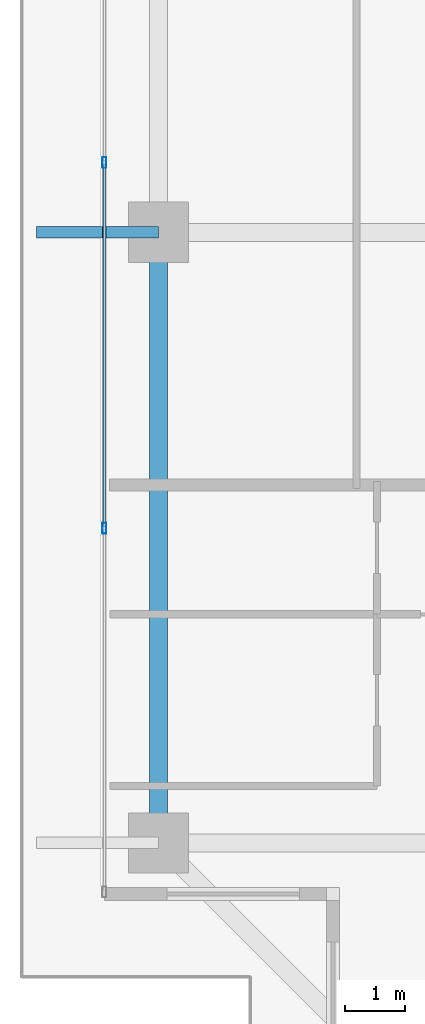
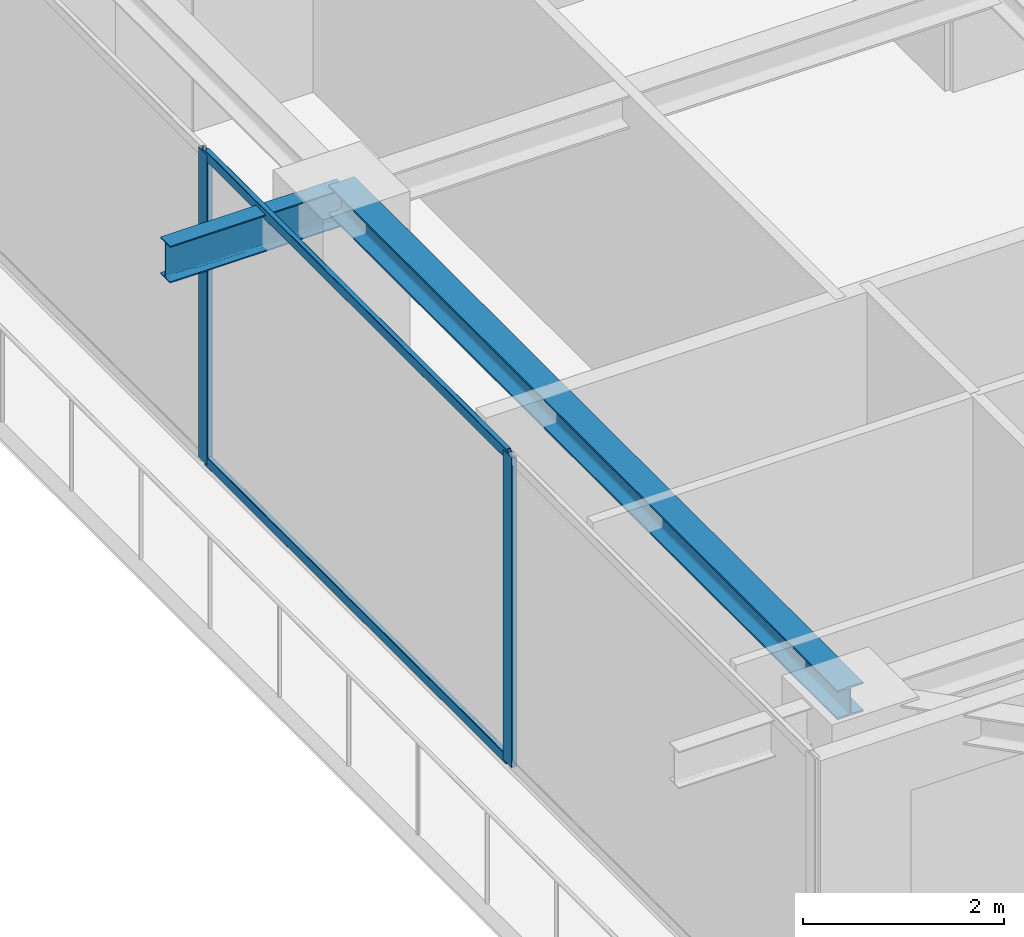
# One storey, part 8 of 42: 4 members, 2 beams, 1 element without a shape of its own.
"""IFC4 building model written with IfcOpenShell, lengths in metres."""

import ifcopenshell
import ifcopenshell.guid

model = None  # the IFC model being written
_history = None  # IfcOwnerHistory: only IFC2X3 demands one
_inside = {}  # id of a spatial element -> (the spatial element, [elements in it])
_under = {}  # id of a project, library or spatial element -> (it, [spatial elements below it])
_declared = {}  # id of a project -> (the project, [libraries it declares])
_typed = {}  # id of a type object -> (the type object, [elements of that type])
_made_of = {}  # id of a material, layer set ... -> (it, [elements and type objects made of it])


def new_model(schema):
    """Start an empty IFC model of exactly this schema.

    Asked for "IFC4X3", IfcOpenShell would pick the latest addendum, in which some entities
    have other attributes; the version numbers below select the first issue.
    IFC2X3 requires an IfcOwnerHistory on every rooted entity: one is made here for all.
    """
    global model, _history
    if schema == "IFC4X3":
        model = ifcopenshell.file(schema_version=(4, 3, 0, 0))
    else:
        model = ifcopenshell.file(schema=schema)
    _inside.clear()
    _under.clear()
    _declared.clear()
    _typed.clear()
    _made_of.clear()
    _history = None
    if model.schema == "IFC2X3":
        org = make("IfcOrganization", Name="unknown")
        user = make(
            "IfcPersonAndOrganization",
            ThePerson=make("IfcPerson", FamilyName="unknown"),
            TheOrganization=org,
        )
        app = make(
            "IfcApplication",
            ApplicationDeveloper=org,
            Version="unknown",
            ApplicationFullName="unknown",
            ApplicationIdentifier="unknown",
        )
        _history = make(
            "IfcOwnerHistory",
            OwningUser=user,
            OwningApplication=app,
            ChangeAction="ADDED",
            CreationDate=0,
        )
    return model


def make(cls, **values):
    """One entity of the class cls with the attributes given. An attribute that is None is left unset."""
    return model.create_entity(
        cls, **{name: value for name, value in values.items() if value is not None}
    )


def rooted(cls, **values):
    """An entity with a GlobalId (a new one), such as an element, a storey or a relation."""
    return make(cls, GlobalId=ifcopenshell.guid.new(), OwnerHistory=_history, **values)


def si_unit(unit_type, name, prefix=None):
    """IfcSIUnit, for example si_unit("LENGTHUNIT", "METRE", prefix="MILLI")."""
    return make("IfcSIUnit", UnitType=unit_type, Prefix=prefix, Name=name)


def assignment(units):
    """IfcUnitAssignment: the units of a project."""
    return None if units is None else make("IfcUnitAssignment", Units=units)


def point(xyz):
    """IfcCartesianPoint."""
    return None if xyz is None else make("IfcCartesianPoint", Coordinates=xyz)


def direction(xyz):
    """IfcDirection."""
    return None if xyz is None else make("IfcDirection", DirectionRatios=xyz)


def frame(location, z_axis=None, x_axis=None):
    """IfcAxis2Placement3D, a coordinate frame: its origin and axes. An axis left out is left unset."""
    return make(
        "IfcAxis2Placement3D",
        Location=point(location),
        Axis=direction(z_axis),
        RefDirection=direction(x_axis),
    )


def frame_2d(location, x_axis=None):
    """IfcAxis2Placement2D, a coordinate frame in the plane: its origin and x axis."""
    return make(
        "IfcAxis2Placement2D", Location=point(location), RefDirection=direction(x_axis)
    )


def origin():
    """The frame at (0, 0, 0) with its axes left unset."""
    return frame((0.0, 0.0, 0.0))


def origin_2d():
    """The frame at (0, 0) in the plane with its x axis left unset."""
    return frame_2d((0.0, 0.0))


def place(relative_to, where):
    """IfcLocalPlacement: puts the frame where relative to a parent placement (None: the world)."""
    return make(
        "IfcLocalPlacement", PlacementRelTo=relative_to, RelativePlacement=where
    )


def context(
    kind, dimensions, precision=None, world=None, true_north=None, identifier=None
):
    """IfcGeometricRepresentationContext, for example the 3D "Model" context."""
    return make(
        "IfcGeometricRepresentationContext",
        ContextIdentifier=identifier,
        ContextType=kind,
        CoordinateSpaceDimension=dimensions,
        Precision=precision,
        WorldCoordinateSystem=world,
        TrueNorth=true_north,
    )


def subcontext(parent, identifier, kind, view, scale=None):
    """IfcGeometricRepresentationSubContext, for example "Body" below "Model"."""
    return make(
        "IfcGeometricRepresentationSubContext",
        ContextIdentifier=identifier,
        ContextType=kind,
        ParentContext=parent,
        TargetScale=scale,
        TargetView=view,
    )


def project(units=None, contexts=None):
    """IfcProject with its units and contexts."""
    return rooted(
        "IfcProject",
        Name="project",
        RepresentationContexts=contexts,
        UnitsInContext=assignment(units),
    )


def spatial(cls, under=None, at=None, **own):
    """A site, building, storey or space (cls), placed at a placement, below another one or the project."""
    s = rooted(cls, ObjectPlacement=at, **own)
    if under is not None:
        _under.setdefault(under.id(), (under, []))[1].append(s)
    return s


def profile(cls, at=None, kind="AREA", **sizes):
    """A parametric profile (cls). Its sizes go by their IFC names, for example OverallWidth=200.0."""
    return make(cls, ProfileType=kind, Position=at, **sizes)


def hollow_rectangle(**sizes):
    """IfcRectangleHollowProfileDef."""
    return profile("IfcRectangleHollowProfileDef", **sizes)


def i_section(**sizes):
    """IfcIShapeProfileDef."""
    return profile("IfcIShapeProfileDef", **sizes)


def extrude(swept, where, along, depth):
    """IfcExtrudedAreaSolid: the profile swept, set in the frame where, extruded along a direction by depth."""
    return make(
        "IfcExtrudedAreaSolid",
        SweptArea=swept,
        Position=where,
        ExtrudedDirection=direction(along),
        Depth=depth,
    )


def shape(context_of_items, identifier, shape_type, items):
    """IfcShapeRepresentation: the items that make up one representation, for example the "Body"."""
    return make(
        "IfcShapeRepresentation",
        ContextOfItems=context_of_items,
        RepresentationIdentifier=identifier,
        RepresentationType=shape_type,
        Items=items,
    )


def source(mapping_origin, context_of_items, identifier, shape_type, items):
    """IfcRepresentationMap: a shape defined once, which mapped items show again and again."""
    return make(
        "IfcRepresentationMap",
        MappingOrigin=mapping_origin,
        MappedRepresentation=shape(context_of_items, identifier, shape_type, items),
    )


def transform(
    local_origin,
    x_axis=None,
    y_axis=None,
    z_axis=None,
    scale=None,
    scale2=None,
    scale3=None,
    uniform=True,
):
    """IfcCartesianTransformationOperator3D, or its non-uniform kind. x_axis, y_axis, z_axis: its Axis1, 2, 3."""
    if uniform:
        return make(
            "IfcCartesianTransformationOperator3D",
            Axis1=direction(x_axis),
            Axis2=direction(y_axis),
            LocalOrigin=point(local_origin),
            Scale=scale,
            Axis3=direction(z_axis),
        )
    return make(
        "IfcCartesianTransformationOperator3DnonUniform",
        Axis1=direction(x_axis),
        Axis2=direction(y_axis),
        LocalOrigin=point(local_origin),
        Scale=scale,
        Axis3=direction(z_axis),
        Scale2=scale2,
        Scale3=scale3,
    )


def mapped(mapping_source, mapping_target):
    """IfcMappedItem: shows the shape of a source again, moved by a transform."""
    return make(
        "IfcMappedItem", MappingSource=mapping_source, MappingTarget=mapping_target
    )


def material(Name=None, Category=None):
    """IfcMaterial."""
    return make("IfcMaterial", Name=Name, Category=Category)


def layer(
    of_material, thickness, ventilated=None, Name=None, Category=None, Priority=None
):
    """IfcMaterialLayer: one layer of a wall or slab, of a material (None: an air gap)."""
    return make(
        "IfcMaterialLayer",
        Material=of_material,
        LayerThickness=thickness,
        IsVentilated=ventilated,
        Name=Name,
        Category=Category,
        Priority=Priority,
    )


def layer_set(layers, Name=None):
    """IfcMaterialLayerSet."""
    return make("IfcMaterialLayerSet", MaterialLayers=layers, LayerSetName=Name)


def material_profile(
    of_material, cross_section, Name=None, Category=None, Priority=None
):
    """IfcMaterialProfile: a cross section and its material."""
    return make(
        "IfcMaterialProfile",
        Name=Name,
        Material=of_material,
        Profile=cross_section,
        Priority=Priority,
        Category=Category,
    )


def profile_set(profiles, Name=None, composite=None):
    """IfcMaterialProfileSet."""
    return make(
        "IfcMaterialProfileSet",
        Name=Name,
        MaterialProfiles=profiles,
        CompositeProfile=composite,
    )


def made_of(thing, what):
    """Note that an element or type object is made of a material, layer set ...; save() writes the relation."""
    if what is not None:
        _made_of.setdefault(what.id(), (what, []))[1].append(thing)
    return thing


def type_object(cls, material=None, **own):
    """A type object (cls), such as IfcWallType, which elements share."""
    return made_of(rooted(cls, **own), material)


def element(
    cls,
    number,
    at=None,
    inside=None,
    cuts=None,
    type_object=None,
    material=None,
    context=None,
    identifier="Body",
    shape_type=None,
    held_by="IfcProductDefinitionShape",
    body=None,
    shapes=None,
    **own,
):
    """One element of the class cls, such as IfcWall. Its Tag is "e" and its number.

    at: its placement. inside: the storey or other place that contains it. cuts: it is an
    opening in that element (IfcRelVoidsElement). A single representation is given by context,
    identifier, shape_type and body (its items); several are given by shapes. held_by: the class
    of the entity that holds the representations. save() writes the other relations.
    """
    e = rooted(cls, Tag="e%d" % number, ObjectPlacement=at, **own)
    if body is not None:
        shapes = [shape(context, identifier, shape_type, body)]
    if shapes is not None:
        e.Representation = make(held_by, Representations=shapes)
    if inside is not None:
        _inside.setdefault(inside.id(), (inside, []))[1].append(e)
    if cuts is not None:
        rooted(
            "IfcRelVoidsElement", RelatingBuildingElement=cuts, RelatedOpeningElement=e
        )
    if type_object is not None:
        _typed.setdefault(type_object.id(), (type_object, []))[1].append(e)
    return made_of(e, material)


def aggregate(whole, parts):
    """IfcRelAggregates: a whole, such as a stair, and the parts it consists of."""
    return rooted("IfcRelAggregates", RelatingObject=whole, RelatedObjects=parts)


def save(model, path):
    """Write the relations noted so far, then the file.

    IfcRelAggregates (storeys below a building ...), IfcRelContainedInSpatialStructure (elements
    in a storey), IfcRelDefinesByType, IfcRelAssociatesMaterial and IfcRelDeclares: one each for
    every whole, place, type object, material and project.
    """
    for whole, parts in _under.values():
        aggregate(whole, parts)
    for where, things in _inside.values():
        rooted(
            "IfcRelContainedInSpatialStructure",
            RelatedElements=things,
            RelatingStructure=where,
        )
    for kind, things in _typed.values():
        rooted("IfcRelDefinesByType", RelatedObjects=things, RelatingType=kind)
    for what, things in _made_of.values():
        rooted("IfcRelAssociatesMaterial", RelatedObjects=things, RelatingMaterial=what)
    for by, libraries in _declared.values():
        rooted("IfcRelDeclares", RelatingContext=by, RelatedDefinitions=libraries)
    model.write(path)


model = new_model("IFC4")

# Units and contexts
model_context = context("Model", 3, precision=1e-05, world=origin(), true_north=direction((0.0, 1.0)))
body_context = subcontext(model_context, "Body", "Model", "MODEL_VIEW")
ifc_project = project(units=[si_unit("LENGTHUNIT", "METRE"), si_unit("AREAUNIT", "SQUARE_METRE"), si_unit("VOLUMEUNIT", "CUBIC_METRE"), si_unit("PLANEANGLEUNIT", "RADIAN"), si_unit("MASSUNIT", "GRAM", prefix="KILO")], contexts=[model_context])

# Site, building, storey
site_placement = place(None, origin())
site = spatial("IfcSite", under=ifc_project, at=site_placement, CompositionType="ELEMENT")
building_placement = place(site_placement, origin())
building = spatial("IfcBuilding", under=site, at=building_placement, Name="Serunith Strait Residences", CompositionType="ELEMENT")
storey_placement = place(building_placement, frame((0.0, 0.0, 297.5)))
storey = spatial("IfcBuildingStorey", under=building, at=storey_placement, Name="L74", CompositionType="ELEMENT", Elevation=297.5)

# Beams
ifc_material_1 = material(Name="Steel S355J2", Category="steel")
ifc_material_profile_1 = material_profile(ifc_material_1, i_section(OverallWidth=0.300048828125, OverallDepth=0.360107421875, WebThickness=0.012451171875, FlangeThickness=0.0224609375, FilletRadius=0.027099609375, at=origin_2d()), Name="HEB 360")
ifc_profile_set_1 = profile_set([ifc_material_profile_1], Name="Steel S355J2")
beam_type_1 = type_object("IfcBeamType", Name="BM-HEB360", PredefinedType="BEAM", material=ifc_profile_set_1)
shared_shape_1 = source(origin(), body_context, "Body", "SweptSolid", [
    extrude(i_section(OverallWidth=0.300048828125, OverallDepth=0.360107421875, WebThickness=0.012451171875, FlangeThickness=0.0224609375, FilletRadius=0.027099609375, at=origin_2d()), origin(), (0.0, 0.0, 1.0), 10.14990234375),
])
beam_1_placement = place(storey_placement, frame((10.10009765625, 21.0, 3.60693359375), z_axis=(0.0, -1.0, 0.0), x_axis=(1.0, 0.0, 0.0)))
element("IfcBeam", 1, at=beam_1_placement, inside=storey, type_object=beam_type_1, Name="L74 Perimeter Ring Beam 15", PredefinedType="BEAM", context=body_context, shape_type="MappedRepresentation", body=[
    mapped(shared_shape_1, transform((0.0, 0.0, 0.0), scale=1.0)),
])
ifc_material_profile_2 = material_profile(ifc_material_1, i_section(OverallWidth=0.18994140625, OverallDepth=0.449951171875, WebThickness=0.009521484375, FlangeThickness=0.0146484375, FilletRadius=0.02099609375, at=origin_2d()), Name="IPE 450")
ifc_profile_set_2 = profile_set([ifc_material_profile_2], Name="Steel S355J2")
beam_type_2 = type_object("IfcBeamType", Name="BM-IPE450", PredefinedType="JOIST", material=ifc_profile_set_2)
shared_shape_2 = source(origin(), body_context, "Body", "SweptSolid", [
    extrude(i_section(OverallWidth=0.18994140625, OverallDepth=0.449951171875, WebThickness=0.009521484375, FlangeThickness=0.0146484375, FilletRadius=0.02099609375, at=origin_2d()), origin(), (0.0, 0.0, 1.0), 2.030029296875),
])
beam_2_placement = place(storey_placement, frame((10.10009765625, 21.0, 3.531982421875), z_axis=(-1.0, 0.0, 0.0), x_axis=(0.0, -1.0, 0.0)))
element("IfcBeam", 2, at=beam_2_placement, inside=storey, type_object=beam_type_2, Name="L75 Cantilevered Balcony Rib TC-W2", PredefinedType="JOIST", context=body_context, shape_type="MappedRepresentation", body=[
    mapped(shared_shape_2, transform((0.0, 0.0, 0.0), scale=1.0)),
])

# Curtain wall, members
ifc_material_2 = material(Name="Brushed Stainless-Silver Aluminium", Category="aluminium")
ifc_layer = layer(ifc_material_2, 0.199951171875, Name="Brushed Stainless-Silver Aluminium")
ifc_layer_set = layer_set([ifc_layer], Name="Brushed Stainless-Silver Aluminium")
curtain_wall_type = type_object("IfcCurtainWallType", Name="CW-SYS5", PredefinedType="NOTDEFINED", material=ifc_layer_set)
curtain_wall_placement = place(storey_placement, origin())
curtain_wall = element("IfcCurtainWall", 3, at=curtain_wall_placement, inside=storey, type_object=curtain_wall_type, Name="L74 W Unitised Fritted Curtain Wall", PredefinedType="NOTDEFINED")
ifc_material_profile_3 = material_profile(ifc_material_2, hollow_rectangle(XDim=0.06005859375, YDim=0.1201171875, WallThickness=0.00341796875, InnerFilletRadius=0.00537109375, OuterFilletRadius=0.0087890625, at=origin_2d()), Name="ALU 120x60x3.5")
ifc_profile_set_3 = profile_set([ifc_material_profile_3], Name="Brushed Stainless-Silver Aluminium")
member_type_1 = type_object("IfcMemberType", Name="CW-SYS5-TRAN", PredefinedType="USERDEFINED", material=ifc_profile_set_3)
shared_shape_3 = source(origin(), body_context, "Body", "SweptSolid", [
    extrude(hollow_rectangle(XDim=0.06005859375, YDim=0.1201171875, WallThickness=0.00341796875, InnerFilletRadius=0.00537109375, OuterFilletRadius=0.0087890625, at=origin_2d()), origin(), (0.0, 0.0, 1.0), 6.014892578125),
])
member_1_placement = place(storey_placement, frame((9.199951171875, 22.12744140625, 0.030029296875), z_axis=(0.0, -1.0, 0.0), x_axis=(1.0, 0.0, 0.0)))
member_1 = element("IfcMember", 4, at=member_1_placement, type_object=member_type_1, Name="CW-5 transom 4.1", ObjectType="TRANSOM", PredefinedType="USERDEFINED", context=body_context, shape_type="MappedRepresentation", body=[
    mapped(shared_shape_3, transform((0.0, 0.0, 0.0), scale=1.0)),
])
member_2_placement = place(storey_placement, frame((9.199951171875, 22.12744140625, 3.7451171875), z_axis=(0.0, -1.0, 0.0), x_axis=(1.0, 0.0, 0.0)))
member_2 = element("IfcMember", 5, at=member_2_placement, type_object=member_type_1, Name="CW-5 transom 4.2", ObjectType="TRANSOM", PredefinedType="USERDEFINED", context=body_context, shape_type="MappedRepresentation", body=[
    mapped(shared_shape_3, transform((0.0, 0.0, 0.0), scale=1.0)),
])
ifc_material_profile_4 = material_profile(ifc_material_2, hollow_rectangle(XDim=0.06494140625, YDim=0.179931640625, WallThickness=0.00341796875, InnerFilletRadius=0.00537109375, OuterFilletRadius=0.0087890625, at=origin_2d()), Name="ALU 180x65x3.5")
ifc_profile_set_4 = profile_set([ifc_material_profile_4], Name="Brushed Stainless-Silver Aluminium")
member_type_2 = type_object("IfcMemberType", Name="CW-SYS5-MULL", PredefinedType="MULLION", material=ifc_profile_set_4)
shared_shape_4 = source(origin(), body_context, "Body", "SweptSolid", [
    extrude(hollow_rectangle(XDim=0.06494140625, YDim=0.179931640625, WallThickness=0.00341796875, InnerFilletRadius=0.00537109375, OuterFilletRadius=0.0087890625, at=origin_2d()), origin(), (0.0, 0.0, 1.0), 3.77490234375),
])
member_3_placement = place(storey_placement, frame((9.199951171875, 22.159912109375, 0.0), z_axis=(0.0, 0.0, 1.0), x_axis=(1.0, 0.0, 0.0)))
member_3 = element("IfcMember", 6, at=member_3_placement, type_object=member_type_2, Name="CW-5 mullion 4", PredefinedType="MULLION", context=body_context, shape_type="MappedRepresentation", body=[
    mapped(shared_shape_4, transform((0.0, 0.0, 0.0), scale=1.0)),
])
member_4_placement = place(storey_placement, frame((9.199951171875, 16.080078125, 0.0), z_axis=(0.0, 0.0, 1.0), x_axis=(1.0, 0.0, 0.0)))
member_4 = element("IfcMember", 7, at=member_4_placement, type_object=member_type_2, Name="CW-5 mullion 5", PredefinedType="MULLION", context=body_context, shape_type="MappedRepresentation", body=[
    mapped(shared_shape_4, transform((0.0, 0.0, 0.0), scale=1.0)),
])
aggregate(curtain_wall, [member_3, member_4, member_1, member_2])

save(model, "model.ifc")
